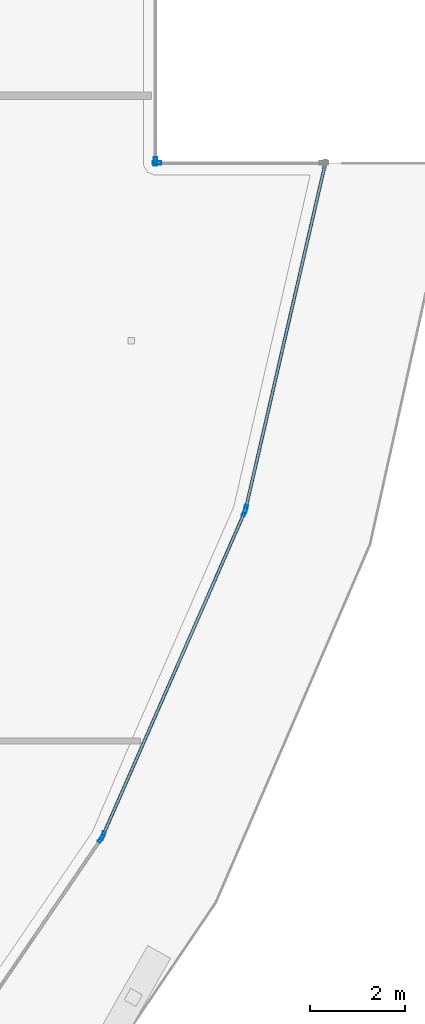
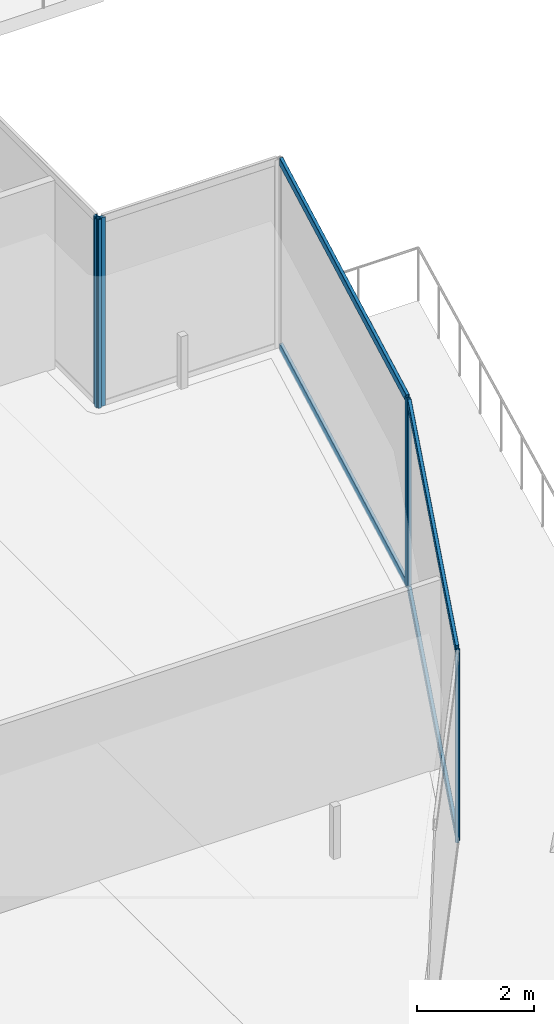
# One storey, part 23 of 44: 10 members, 5 elements without a shape of their own.
"""IFC4 building model written with IfcOpenShell, lengths in metres."""

from ifc_helpers import new_model, si_unit, direction, frame, origin, origin_2d, place, context, subcontext, project, spatial, hollow_rectangle, extrude, material, layer, layer_set, material_profile, profile_set, type_object, element, aggregate, save


model = new_model("IFC4")

# Units and contexts
model_context = context("Model", 3, precision=1e-05, world=origin(), true_north=direction((0.0, 1.0)))
body_context = subcontext(model_context, "Body", "Model", "MODEL_VIEW")
ifc_project = project(units=[si_unit("LENGTHUNIT", "METRE"), si_unit("AREAUNIT", "SQUARE_METRE"), si_unit("VOLUMEUNIT", "CUBIC_METRE"), si_unit("PLANEANGLEUNIT", "RADIAN"), si_unit("MASSUNIT", "GRAM", prefix="KILO")], contexts=[model_context])

# Site, building, storey
site_placement = place(None, origin())
site = spatial("IfcSite", under=ifc_project, at=site_placement, CompositionType="ELEMENT")
building_placement = place(site_placement, origin())
building = spatial("IfcBuilding", under=site, at=building_placement, Name="Qorvath Tower", CompositionType="ELEMENT")
storey_placement = place(building_placement, frame((0.0, 0.0, 45.0)))
storey = spatial("IfcBuildingStorey", under=building, at=storey_placement, Name="L09", CompositionType="ELEMENT", Elevation=45.0)

# Curtain wall, member
ifc_material_1 = material(Name="Anodised aluminium and triple low-E glass", Category="aluminium")
ifc_layer = layer(ifc_material_1, 0.179931640625)
ifc_layer_set = layer_set([ifc_layer], Name="CW-SYS-2")
curtain_wall_type = type_object("IfcCurtainWallType", Name="CW-SYS-2", PredefinedType="NOTDEFINED", material=ifc_layer_set)
curtain_wall_1_placement = place(storey_placement, origin())
curtain_wall_1 = element("IfcCurtainWall", 1, at=curtain_wall_1_placement, inside=storey, type_object=curtain_wall_type, Name="Curtain Wall CW-2 CW-T-L09-5.1", PredefinedType="NOTDEFINED")
ifc_material_2 = material(Name="Anodised aluminium 6063-T6", Category="aluminium")
ifc_material_profile_1 = material_profile(ifc_material_2, hollow_rectangle(XDim=0.06494140625, YDim=0.179931640625, WallThickness=0.00341796875, InnerFilletRadius=0.00341796875, OuterFilletRadius=0.007080078125, at=origin_2d()), Name="CWM 180x65")
ifc_profile_set_1 = profile_set([ifc_material_profile_1], Name="Anodised aluminium 6063-T6")
member_type_1 = type_object("IfcMemberType", Name="CWM-180", PredefinedType="MULLION", material=ifc_profile_set_1)
member_1_placement = place(storey_placement, frame((2.60498046875, -19.55615234375, 0.0), z_axis=(0.0, 0.0, 1.0), x_axis=(-0.825849008834, 0.563891314535, 0.0)))
member_1 = element("IfcMember", 2, at=member_1_placement, type_object=member_type_1, Name="CW-2 mullion 2", PredefinedType="MULLION", context=body_context, shape_type="SweptSolid", body=[
    extrude(hollow_rectangle(XDim=0.06494140625, YDim=0.179931640625, WallThickness=0.00341796875, InnerFilletRadius=0.00341796875, OuterFilletRadius=0.007080078125, at=origin_2d()), origin(), (0.0, 0.0, 1.0), 3.919921875),
])
aggregate(curtain_wall_1, [member_1])

# Curtain wall, members
curtain_wall_2_placement = place(storey_placement, origin())
curtain_wall_2 = element("IfcCurtainWall", 3, at=curtain_wall_2_placement, inside=storey, type_object=curtain_wall_type, Name="Curtain Wall CW-2 CW-T-L09-6.1", PredefinedType="NOTDEFINED")
member_2_placement = place(storey_placement, frame((2.63623046875, -19.49951171875, 0.0), z_axis=(0.0, 0.0, 1.0), x_axis=(-0.916000523281, 0.401177069819, 0.0)))
member_2 = element("IfcMember", 4, at=member_2_placement, type_object=member_type_1, Name="CW-2 mullion 1", PredefinedType="MULLION", context=body_context, shape_type="SweptSolid", body=[
    extrude(hollow_rectangle(XDim=0.06494140625, YDim=0.179931640625, WallThickness=0.00341796875, InnerFilletRadius=0.00341796875, OuterFilletRadius=0.007080078125, at=origin_2d()), origin(), (0.0, 0.0, 1.0), 3.919921875),
])
member_3_placement = place(storey_placement, frame((5.617919921875, -12.69189453125, 0.0), z_axis=(0.0, 0.0, 1.0), x_axis=(-0.916000523281, 0.401177069819, 0.0)))
member_3 = element("IfcMember", 5, at=member_3_placement, type_object=member_type_1, Name="CW-2 mullion 2", PredefinedType="MULLION", context=body_context, shape_type="SweptSolid", body=[
    extrude(hollow_rectangle(XDim=0.06494140625, YDim=0.179931640625, WallThickness=0.00341796875, InnerFilletRadius=0.00341796875, OuterFilletRadius=0.007080078125, at=origin_2d()), origin(), (0.0, 0.0, 1.0), 3.919921875),
])

# Curtain wall, member
curtain_wall_3_placement = place(storey_placement, origin())
curtain_wall_3 = element("IfcCurtainWall", 6, at=curtain_wall_3_placement, inside=storey, type_object=curtain_wall_type, Name="Curtain Wall CW-2 CW-T-L09-7.1", PredefinedType="NOTDEFINED")
member_4_placement = place(storey_placement, frame((5.63818359375, -12.63037109375, 0.0), z_axis=(0.0, 0.0, 1.0), x_axis=(-0.974466004857, 0.224535087188, 0.0)))
member_4 = element("IfcMember", 7, at=member_4_placement, type_object=member_type_1, Name="CW-2 mullion 1", PredefinedType="MULLION", context=body_context, shape_type="SweptSolid", body=[
    extrude(hollow_rectangle(XDim=0.06494140625, YDim=0.179931640625, WallThickness=0.00341796875, InnerFilletRadius=0.00341796875, OuterFilletRadius=0.007080078125, at=origin_2d()), origin(), (0.0, 0.0, 1.0), 3.919921875),
])

curtain_wall_4_placement = place(storey_placement, origin())
curtain_wall_4 = element("IfcCurtainWall", 8, at=curtain_wall_4_placement, inside=storey, type_object=curtain_wall_type, Name="Curtain Wall CW-2 CW-T-L09-8.1", PredefinedType="NOTDEFINED")
member_5_placement = place(storey_placement, frame((3.775390625, -5.356689453125, 0.0), z_axis=(0.0, 0.0, 1.0), x_axis=(0.0, -1.0, 0.0)))
member_5 = element("IfcMember", 9, at=member_5_placement, type_object=member_type_1, Name="CW-2 mullion 2", PredefinedType="MULLION", context=body_context, shape_type="SweptSolid", body=[
    extrude(hollow_rectangle(XDim=0.06494140625, YDim=0.179931640625, WallThickness=0.00341796875, InnerFilletRadius=0.00341796875, OuterFilletRadius=0.007080078125, at=origin_2d()), origin(), (0.0, 0.0, 1.0), 3.919921875),
])
aggregate(curtain_wall_4, [member_5])

curtain_wall_5_placement = place(storey_placement, origin())
curtain_wall_5 = element("IfcCurtainWall", 10, at=curtain_wall_5_placement, inside=storey, type_object=curtain_wall_type, Name="Curtain Wall CW-2 CW-T-L09-9.1", PredefinedType="NOTDEFINED")
member_6_placement = place(storey_placement, frame((3.742919921875, -5.32421875, 0.0), z_axis=(0.0, 0.0, 1.0), x_axis=(-1.0, 0.0, 0.0)))
member_6 = element("IfcMember", 11, at=member_6_placement, type_object=member_type_1, Name="CW-2 mullion 1", PredefinedType="MULLION", context=body_context, shape_type="SweptSolid", body=[
    extrude(hollow_rectangle(XDim=0.06494140625, YDim=0.179931640625, WallThickness=0.00341796875, InnerFilletRadius=0.00341796875, OuterFilletRadius=0.007080078125, at=origin_2d()), origin(), (0.0, 0.0, 1.0), 3.919921875),
])
aggregate(curtain_wall_5, [member_6])

# Member
ifc_material_3 = material(Name="Anodised aluminium 6063-T6", Category="aluminium")
ifc_material_profile_2 = material_profile(ifc_material_3, hollow_rectangle(XDim=0.06494140625, YDim=0.159912109375, WallThickness=0.00341796875, InnerFilletRadius=0.00341796875, OuterFilletRadius=0.007080078125, at=origin_2d()), Name="CWT 160x65")
ifc_profile_set_2 = profile_set([ifc_material_profile_2], Name="Anodised aluminium 6063-T6")
member_type_2 = type_object("IfcMemberType", Name="CWT-160", PredefinedType="USERDEFINED", material=ifc_profile_set_2)
member_7_placement = place(storey_placement, frame((2.6494140625, -19.4697265625, 0.032470703125), z_axis=(0.401166509416, 0.916005148306, 0.0), x_axis=(-0.916005148306, 0.401166509416, 0.0)))
member_7 = element("IfcMember", 12, at=member_7_placement, type_object=member_type_2, Name="CW-2 transom 1.1", ObjectType="TRANSOM", PredefinedType="USERDEFINED", context=body_context, shape_type="SweptSolid", body=[
    extrude(hollow_rectangle(XDim=0.06494140625, YDim=0.159912109375, WallThickness=0.00341796875, InnerFilletRadius=0.00341796875, OuterFilletRadius=0.007080078125, at=origin_2d()), origin(), (0.0, 0.0, 1.0), 7.366943359375),
])

member_8_placement = place(storey_placement, frame((2.6494140625, -19.4697265625, 3.887451171875), z_axis=(0.401166509416, 0.916005148306, 0.0), x_axis=(-0.916005148306, 0.401166509416, 0.0)))
member_8 = element("IfcMember", 13, at=member_8_placement, type_object=member_type_2, Name="CW-2 transom 1.2", ObjectType="TRANSOM", PredefinedType="USERDEFINED", context=body_context, shape_type="SweptSolid", body=[
    extrude(hollow_rectangle(XDim=0.06494140625, YDim=0.159912109375, WallThickness=0.00341796875, InnerFilletRadius=0.00341796875, OuterFilletRadius=0.007080078125, at=origin_2d()), origin(), (0.0, 0.0, 1.0), 7.366943359375),
])

aggregate(curtain_wall_2, [member_2, member_3, member_7, member_8])

member_9_placement = place(storey_placement, frame((5.6455078125, -12.598876953125, 0.032470703125), z_axis=(0.224520650213, 0.974469331292, 0.0), x_axis=(-0.974469331292, 0.224520650213, 0.0)))
member_9 = element("IfcMember", 14, at=member_9_placement, type_object=member_type_2, Name="CW-2 transom 1.1", ObjectType="TRANSOM", PredefinedType="USERDEFINED", context=body_context, shape_type="SweptSolid", body=[
    extrude(hollow_rectangle(XDim=0.06494140625, YDim=0.159912109375, WallThickness=0.00341796875, InnerFilletRadius=0.00341796875, OuterFilletRadius=0.007080078125, at=origin_2d()), origin(), (0.0, 0.0, 1.0), 7.366943359375),
])

member_10_placement = place(storey_placement, frame((5.6455078125, -12.598876953125, 3.887451171875), z_axis=(0.224520650213, 0.974469331292, 0.0), x_axis=(-0.974469331292, 0.224520650213, 0.0)))
member_10 = element("IfcMember", 15, at=member_10_placement, type_object=member_type_2, Name="CW-2 transom 1.2", ObjectType="TRANSOM", PredefinedType="USERDEFINED", context=body_context, shape_type="SweptSolid", body=[
    extrude(hollow_rectangle(XDim=0.06494140625, YDim=0.159912109375, WallThickness=0.00341796875, InnerFilletRadius=0.00341796875, OuterFilletRadius=0.007080078125, at=origin_2d()), origin(), (0.0, 0.0, 1.0), 7.366943359375),
])

aggregate(curtain_wall_3, [member_4, member_9, member_10])

save(model, "model.ifc")
